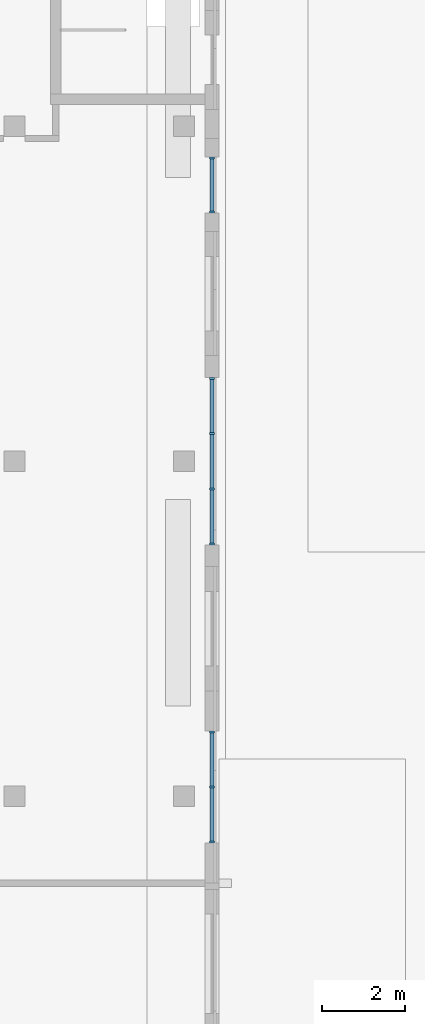
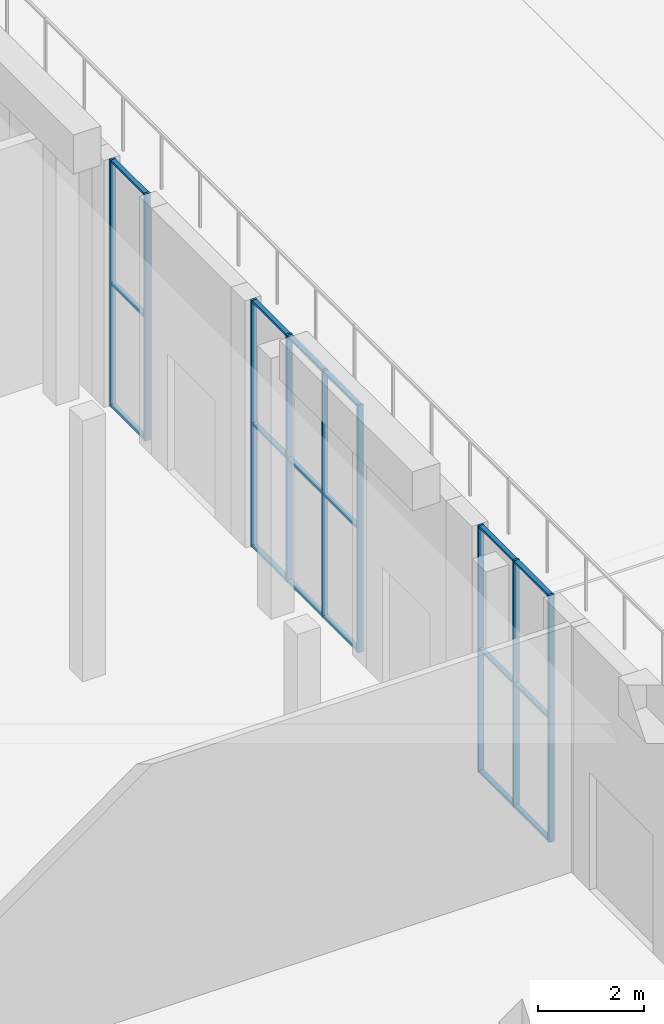
# One storey, part 5 of 32: 27 members, 3 elements without a shape of their own.
"""IFC4 building model written with IfcOpenShell, lengths in metres."""

from ifc_helpers import new_model, si_unit, direction, frame, origin, origin_2d, place, context, subcontext, project, spatial, rectangle, extrude, material, material_profile, profile_set, type_object, element, aggregate, save


model = new_model("IFC4")

# Units and contexts
model_context = context("Model", 3, precision=1e-05, world=origin(), true_north=direction((0.0, 1.0)))
body_context = subcontext(model_context, "Body", "Model", "MODEL_VIEW")
ifc_project = project(units=[si_unit("LENGTHUNIT", "METRE"), si_unit("AREAUNIT", "SQUARE_METRE"), si_unit("VOLUMEUNIT", "CUBIC_METRE"), si_unit("PLANEANGLEUNIT", "RADIAN"), si_unit("MASSUNIT", "GRAM", prefix="KILO")], contexts=[model_context])

# Site, building, storey
site_placement = place(None, origin())
site = spatial("IfcSite", under=ifc_project, at=site_placement, CompositionType="ELEMENT")
building_placement = place(site_placement, origin())
building = spatial("IfcBuilding", under=site, at=building_placement, Name="Torre Triforio", CompositionType="ELEMENT")
storey_placement = place(building_placement, origin())
storey = spatial("IfcBuildingStorey", under=building, at=storey_placement, Name="L00", CompositionType="ELEMENT", Elevation=0.0)

# Curtain wall, members
ifc_material_1 = material(Name="Aluminium mullion and transom frame with clear laminated glass", Category="aluminium")
curtain_wall_type = type_object("IfcCurtainWallType", Name="Garden cafe curtain wall ECW6", PredefinedType="NOTDEFINED", material=ifc_material_1)
curtain_wall_1_placement = place(storey_placement, origin())
curtain_wall_1 = element("IfcCurtainWall", 1, at=curtain_wall_1_placement, inside=storey, type_object=curtain_wall_type, Name="Garden cafe curtain wall L00 09.10.2.1", PredefinedType="NOTDEFINED")
ifc_material_2 = material(Name="Anodised aluminium extrusion", Category="aluminium")
ifc_material_profile_1 = material_profile(ifc_material_2, rectangle(XDim=0.1201171875, YDim=0.050048828125, at=origin_2d()), Name="ECW6 MULLION 50x120")
ifc_profile_set_1 = profile_set([ifc_material_profile_1], Name="Anodised aluminium extrusion")
member_type_1 = type_object("IfcMemberType", Name="ECW6 mullion 50 x 120", PredefinedType="MULLION", material=ifc_profile_set_1)
member_1_placement = place(storey_placement, frame((77.675048828125, 7.0, 0.0), z_axis=(0.0, 0.0, 1.0), x_axis=(-1.0, 0.0, 0.0)))
member_1 = element("IfcMember", 2, at=member_1_placement, type_object=member_type_1, Name="ECW6 mullion 1", PredefinedType="MULLION", context=body_context, shape_type="SweptSolid", body=[
    extrude(rectangle(XDim=0.1201171875, YDim=0.050048828125, at=origin_2d()), origin(), (0.0, 0.0, 1.0), 5.679931640625),
])
member_2_placement = place(storey_placement, frame((77.675048828125, 8.324951171875, 0.0), z_axis=(0.0, 0.0, 1.0), x_axis=(-1.0, 0.0, 0.0)))
member_2 = element("IfcMember", 3, at=member_2_placement, type_object=member_type_1, Name="ECW6 mullion 2", PredefinedType="MULLION", context=body_context, shape_type="SweptSolid", body=[
    extrude(rectangle(XDim=0.1201171875, YDim=0.050048828125, at=origin_2d()), origin(), (0.0, 0.0, 1.0), 5.679931640625),
])
member_3_placement = place(storey_placement, frame((77.675048828125, 9.64990234375, 0.0), z_axis=(0.0, 0.0, 1.0), x_axis=(-1.0, 0.0, 0.0)))
member_3 = element("IfcMember", 4, at=member_3_placement, type_object=member_type_1, Name="ECW6 mullion 3", PredefinedType="MULLION", context=body_context, shape_type="SweptSolid", body=[
    extrude(rectangle(XDim=0.1201171875, YDim=0.050048828125, at=origin_2d()), origin(), (0.0, 0.0, 1.0), 5.679931640625),
])

curtain_wall_2_placement = place(storey_placement, origin())
curtain_wall_2 = element("IfcCurtainWall", 5, at=curtain_wall_2_placement, inside=storey, type_object=curtain_wall_type, Name="Garden cafe curtain wall L00 09.12.1.1", PredefinedType="NOTDEFINED")
member_4_placement = place(storey_placement, frame((77.675048828125, 14.199951171875, 0.0), z_axis=(0.0, 0.0, 1.0), x_axis=(-1.0, 0.0, 0.0)))
member_4 = element("IfcMember", 6, at=member_4_placement, type_object=member_type_1, Name="ECW6 mullion 1", PredefinedType="MULLION", context=body_context, shape_type="SweptSolid", body=[
    extrude(rectangle(XDim=0.1201171875, YDim=0.050048828125, at=origin_2d()), origin(), (0.0, 0.0, 1.0), 5.679931640625),
])
member_5_placement = place(storey_placement, frame((77.675048828125, 15.52490234375, 0.0), z_axis=(0.0, 0.0, 1.0), x_axis=(-1.0, 0.0, 0.0)))
member_5 = element("IfcMember", 7, at=member_5_placement, type_object=member_type_1, Name="ECW6 mullion 2", PredefinedType="MULLION", context=body_context, shape_type="SweptSolid", body=[
    extrude(rectangle(XDim=0.1201171875, YDim=0.050048828125, at=origin_2d()), origin(), (0.0, 0.0, 1.0), 5.679931640625),
])
member_6_placement = place(storey_placement, frame((77.675048828125, 16.875, 0.0), z_axis=(0.0, 0.0, 1.0), x_axis=(-1.0, 0.0, 0.0)))
member_6 = element("IfcMember", 8, at=member_6_placement, type_object=member_type_1, Name="ECW6 mullion 3", PredefinedType="MULLION", context=body_context, shape_type="SweptSolid", body=[
    extrude(rectangle(XDim=0.1201171875, YDim=0.050048828125, at=origin_2d()), origin(), (0.0, 0.0, 1.0), 5.679931640625),
])
member_7_placement = place(storey_placement, frame((77.675048828125, 18.199951171875, 0.0), z_axis=(0.0, 0.0, 1.0), x_axis=(-1.0, 0.0, 0.0)))
member_7 = element("IfcMember", 9, at=member_7_placement, type_object=member_type_1, Name="ECW6 mullion 4", PredefinedType="MULLION", context=body_context, shape_type="SweptSolid", body=[
    extrude(rectangle(XDim=0.1201171875, YDim=0.050048828125, at=origin_2d()), origin(), (0.0, 0.0, 1.0), 5.679931640625),
])

curtain_wall_3_placement = place(storey_placement, origin())
curtain_wall_3 = element("IfcCurtainWall", 10, at=curtain_wall_3_placement, inside=storey, type_object=curtain_wall_type, Name="Garden cafe curtain wall L00 09.14.1.1", PredefinedType="NOTDEFINED")
member_8_placement = place(storey_placement, frame((77.675048828125, 22.22509765625, 0.0), z_axis=(0.0, 0.0, 1.0), x_axis=(-1.0, 0.0, 0.0)))
member_8 = element("IfcMember", 11, at=member_8_placement, type_object=member_type_1, Name="ECW6 mullion 1", PredefinedType="MULLION", context=body_context, shape_type="SweptSolid", body=[
    extrude(rectangle(XDim=0.1201171875, YDim=0.050048828125, at=origin_2d()), origin(), (0.0, 0.0, 1.0), 5.679931640625),
])
member_9_placement = place(storey_placement, frame((77.675048828125, 23.52490234375, 0.0), z_axis=(0.0, 0.0, 1.0), x_axis=(-1.0, 0.0, 0.0)))
member_9 = element("IfcMember", 12, at=member_9_placement, type_object=member_type_1, Name="ECW6 mullion 2", PredefinedType="MULLION", context=body_context, shape_type="SweptSolid", body=[
    extrude(rectangle(XDim=0.1201171875, YDim=0.050048828125, at=origin_2d()), origin(), (0.0, 0.0, 1.0), 5.679931640625),
])

# Member
ifc_material_profile_2 = material_profile(ifc_material_2, rectangle(XDim=0.10009765625, YDim=0.050048828125, at=origin_2d()), Name="ECW6 TRANSOM 50x100")
ifc_profile_set_2 = profile_set([ifc_material_profile_2], Name="Anodised aluminium extrusion")
member_type_2 = type_object("IfcMemberType", Name="ECW6 transom 50 x 100", PredefinedType="USERDEFINED", material=ifc_profile_set_2)
member_10_placement = place(storey_placement, frame((77.675048828125, 7.02490234375, 0.02490234375), z_axis=(0.0, 1.0, 0.0), x_axis=(-1.0, 0.0, 0.0)))
member_10 = element("IfcMember", 13, at=member_10_placement, type_object=member_type_2, Name="ECW6 transom 1.1", ObjectType="TRANSOM", PredefinedType="USERDEFINED", context=body_context, shape_type="SweptSolid", body=[
    extrude(rectangle(XDim=0.10009765625, YDim=0.050048828125, at=origin_2d()), origin(), (0.0, 0.0, 1.0), 1.275146484375),
])

member_11_placement = place(storey_placement, frame((77.675048828125, 7.02490234375, 2.840087890625), z_axis=(0.0, 1.0, 0.0), x_axis=(-1.0, 0.0, 0.0)))
member_11 = element("IfcMember", 14, at=member_11_placement, type_object=member_type_2, Name="ECW6 transom 1.2", ObjectType="TRANSOM", PredefinedType="USERDEFINED", context=body_context, shape_type="SweptSolid", body=[
    extrude(rectangle(XDim=0.10009765625, YDim=0.050048828125, at=origin_2d()), origin(), (0.0, 0.0, 1.0), 1.275146484375),
])

member_12_placement = place(storey_placement, frame((77.675048828125, 7.02490234375, 5.655029296875), z_axis=(0.0, 1.0, 0.0), x_axis=(-1.0, 0.0, 0.0)))
member_12 = element("IfcMember", 15, at=member_12_placement, type_object=member_type_2, Name="ECW6 transom 1.3", ObjectType="TRANSOM", PredefinedType="USERDEFINED", context=body_context, shape_type="SweptSolid", body=[
    extrude(rectangle(XDim=0.10009765625, YDim=0.050048828125, at=origin_2d()), origin(), (0.0, 0.0, 1.0), 1.275146484375),
])

member_13_placement = place(storey_placement, frame((77.675048828125, 8.35009765625, 0.02490234375), z_axis=(0.0, 1.0, 0.0), x_axis=(-1.0, 0.0, 0.0)))
member_13 = element("IfcMember", 16, at=member_13_placement, type_object=member_type_2, Name="ECW6 transom 2.1", ObjectType="TRANSOM", PredefinedType="USERDEFINED", context=body_context, shape_type="SweptSolid", body=[
    extrude(rectangle(XDim=0.10009765625, YDim=0.050048828125, at=origin_2d()), origin(), (0.0, 0.0, 1.0), 1.27490234375),
])

member_14_placement = place(storey_placement, frame((77.675048828125, 8.35009765625, 2.840087890625), z_axis=(0.0, 1.0, 0.0), x_axis=(-1.0, 0.0, 0.0)))
member_14 = element("IfcMember", 17, at=member_14_placement, type_object=member_type_2, Name="ECW6 transom 2.2", ObjectType="TRANSOM", PredefinedType="USERDEFINED", context=body_context, shape_type="SweptSolid", body=[
    extrude(rectangle(XDim=0.10009765625, YDim=0.050048828125, at=origin_2d()), origin(), (0.0, 0.0, 1.0), 1.27490234375),
])

member_15_placement = place(storey_placement, frame((77.675048828125, 8.35009765625, 5.655029296875), z_axis=(0.0, 1.0, 0.0), x_axis=(-1.0, 0.0, 0.0)))
member_15 = element("IfcMember", 18, at=member_15_placement, type_object=member_type_2, Name="ECW6 transom 2.3", ObjectType="TRANSOM", PredefinedType="USERDEFINED", context=body_context, shape_type="SweptSolid", body=[
    extrude(rectangle(XDim=0.10009765625, YDim=0.050048828125, at=origin_2d()), origin(), (0.0, 0.0, 1.0), 1.27490234375),
])

aggregate(curtain_wall_1, [member_1, member_2, member_3, member_10, member_11, member_12, member_13, member_14, member_15])

member_16_placement = place(storey_placement, frame((77.675048828125, 14.22509765625, 0.02490234375), z_axis=(0.0, 1.0, 0.0), x_axis=(-1.0, 0.0, 0.0)))
member_16 = element("IfcMember", 19, at=member_16_placement, type_object=member_type_2, Name="ECW6 transom 1.1", ObjectType="TRANSOM", PredefinedType="USERDEFINED", context=body_context, shape_type="SweptSolid", body=[
    extrude(rectangle(XDim=0.10009765625, YDim=0.050048828125, at=origin_2d()), origin(), (0.0, 0.0, 1.0), 1.27490234375),
])

member_17_placement = place(storey_placement, frame((77.675048828125, 14.22509765625, 2.840087890625), z_axis=(0.0, 1.0, 0.0), x_axis=(-1.0, 0.0, 0.0)))
member_17 = element("IfcMember", 20, at=member_17_placement, type_object=member_type_2, Name="ECW6 transom 1.2", ObjectType="TRANSOM", PredefinedType="USERDEFINED", context=body_context, shape_type="SweptSolid", body=[
    extrude(rectangle(XDim=0.10009765625, YDim=0.050048828125, at=origin_2d()), origin(), (0.0, 0.0, 1.0), 1.27490234375),
])

member_18_placement = place(storey_placement, frame((77.675048828125, 14.22509765625, 5.655029296875), z_axis=(0.0, 1.0, 0.0), x_axis=(-1.0, 0.0, 0.0)))
member_18 = element("IfcMember", 21, at=member_18_placement, type_object=member_type_2, Name="ECW6 transom 1.3", ObjectType="TRANSOM", PredefinedType="USERDEFINED", context=body_context, shape_type="SweptSolid", body=[
    extrude(rectangle(XDim=0.10009765625, YDim=0.050048828125, at=origin_2d()), origin(), (0.0, 0.0, 1.0), 1.27490234375),
])

member_19_placement = place(storey_placement, frame((77.675048828125, 15.550048828125, 0.02490234375), z_axis=(0.0, 1.0, 0.0), x_axis=(-1.0, 0.0, 0.0)))
member_19 = element("IfcMember", 22, at=member_19_placement, type_object=member_type_2, Name="ECW6 transom 2.1", ObjectType="TRANSOM", PredefinedType="USERDEFINED", context=body_context, shape_type="SweptSolid", body=[
    extrude(rectangle(XDim=0.10009765625, YDim=0.050048828125, at=origin_2d()), origin(), (0.0, 0.0, 1.0), 1.300048828125),
])

member_20_placement = place(storey_placement, frame((77.675048828125, 15.550048828125, 2.840087890625), z_axis=(0.0, 1.0, 0.0), x_axis=(-1.0, 0.0, 0.0)))
member_20 = element("IfcMember", 23, at=member_20_placement, type_object=member_type_2, Name="ECW6 transom 2.2", ObjectType="TRANSOM", PredefinedType="USERDEFINED", context=body_context, shape_type="SweptSolid", body=[
    extrude(rectangle(XDim=0.10009765625, YDim=0.050048828125, at=origin_2d()), origin(), (0.0, 0.0, 1.0), 1.300048828125),
])

member_21_placement = place(storey_placement, frame((77.675048828125, 15.550048828125, 5.655029296875), z_axis=(0.0, 1.0, 0.0), x_axis=(-1.0, 0.0, 0.0)))
member_21 = element("IfcMember", 24, at=member_21_placement, type_object=member_type_2, Name="ECW6 transom 2.3", ObjectType="TRANSOM", PredefinedType="USERDEFINED", context=body_context, shape_type="SweptSolid", body=[
    extrude(rectangle(XDim=0.10009765625, YDim=0.050048828125, at=origin_2d()), origin(), (0.0, 0.0, 1.0), 1.300048828125),
])

member_22_placement = place(storey_placement, frame((77.675048828125, 16.89990234375, 0.02490234375), z_axis=(0.0, 1.0, 0.0), x_axis=(-1.0, 0.0, 0.0)))
member_22 = element("IfcMember", 25, at=member_22_placement, type_object=member_type_2, Name="ECW6 transom 3.1", ObjectType="TRANSOM", PredefinedType="USERDEFINED", context=body_context, shape_type="SweptSolid", body=[
    extrude(rectangle(XDim=0.10009765625, YDim=0.050048828125, at=origin_2d()), origin(), (0.0, 0.0, 1.0), 1.275146484375),
])

member_23_placement = place(storey_placement, frame((77.675048828125, 16.89990234375, 2.840087890625), z_axis=(0.0, 1.0, 0.0), x_axis=(-1.0, 0.0, 0.0)))
member_23 = element("IfcMember", 26, at=member_23_placement, type_object=member_type_2, Name="ECW6 transom 3.2", ObjectType="TRANSOM", PredefinedType="USERDEFINED", context=body_context, shape_type="SweptSolid", body=[
    extrude(rectangle(XDim=0.10009765625, YDim=0.050048828125, at=origin_2d()), origin(), (0.0, 0.0, 1.0), 1.275146484375),
])

member_24_placement = place(storey_placement, frame((77.675048828125, 16.89990234375, 5.655029296875), z_axis=(0.0, 1.0, 0.0), x_axis=(-1.0, 0.0, 0.0)))
member_24 = element("IfcMember", 27, at=member_24_placement, type_object=member_type_2, Name="ECW6 transom 3.3", ObjectType="TRANSOM", PredefinedType="USERDEFINED", context=body_context, shape_type="SweptSolid", body=[
    extrude(rectangle(XDim=0.10009765625, YDim=0.050048828125, at=origin_2d()), origin(), (0.0, 0.0, 1.0), 1.275146484375),
])

aggregate(curtain_wall_2, [member_4, member_5, member_6, member_7, member_16, member_17, member_18, member_19, member_20, member_21, member_22, member_23, member_24])

member_25_placement = place(storey_placement, frame((77.675048828125, 22.25, 0.02490234375), z_axis=(0.0, 1.0, 0.0), x_axis=(-1.0, 0.0, 0.0)))
member_25 = element("IfcMember", 28, at=member_25_placement, type_object=member_type_2, Name="ECW6 transom 1.1", ObjectType="TRANSOM", PredefinedType="USERDEFINED", context=body_context, shape_type="SweptSolid", body=[
    extrude(rectangle(XDim=0.10009765625, YDim=0.050048828125, at=origin_2d()), origin(), (0.0, 0.0, 1.0), 1.25),
])

member_26_placement = place(storey_placement, frame((77.675048828125, 22.25, 2.840087890625), z_axis=(0.0, 1.0, 0.0), x_axis=(-1.0, 0.0, 0.0)))
member_26 = element("IfcMember", 29, at=member_26_placement, type_object=member_type_2, Name="ECW6 transom 1.2", ObjectType="TRANSOM", PredefinedType="USERDEFINED", context=body_context, shape_type="SweptSolid", body=[
    extrude(rectangle(XDim=0.10009765625, YDim=0.050048828125, at=origin_2d()), origin(), (0.0, 0.0, 1.0), 1.25),
])

member_27_placement = place(storey_placement, frame((77.675048828125, 22.25, 5.655029296875), z_axis=(0.0, 1.0, 0.0), x_axis=(-1.0, 0.0, 0.0)))
member_27 = element("IfcMember", 30, at=member_27_placement, type_object=member_type_2, Name="ECW6 transom 1.3", ObjectType="TRANSOM", PredefinedType="USERDEFINED", context=body_context, shape_type="SweptSolid", body=[
    extrude(rectangle(XDim=0.10009765625, YDim=0.050048828125, at=origin_2d()), origin(), (0.0, 0.0, 1.0), 1.25),
])

aggregate(curtain_wall_3, [member_8, member_9, member_25, member_26, member_27])

save(model, "model.ifc")
